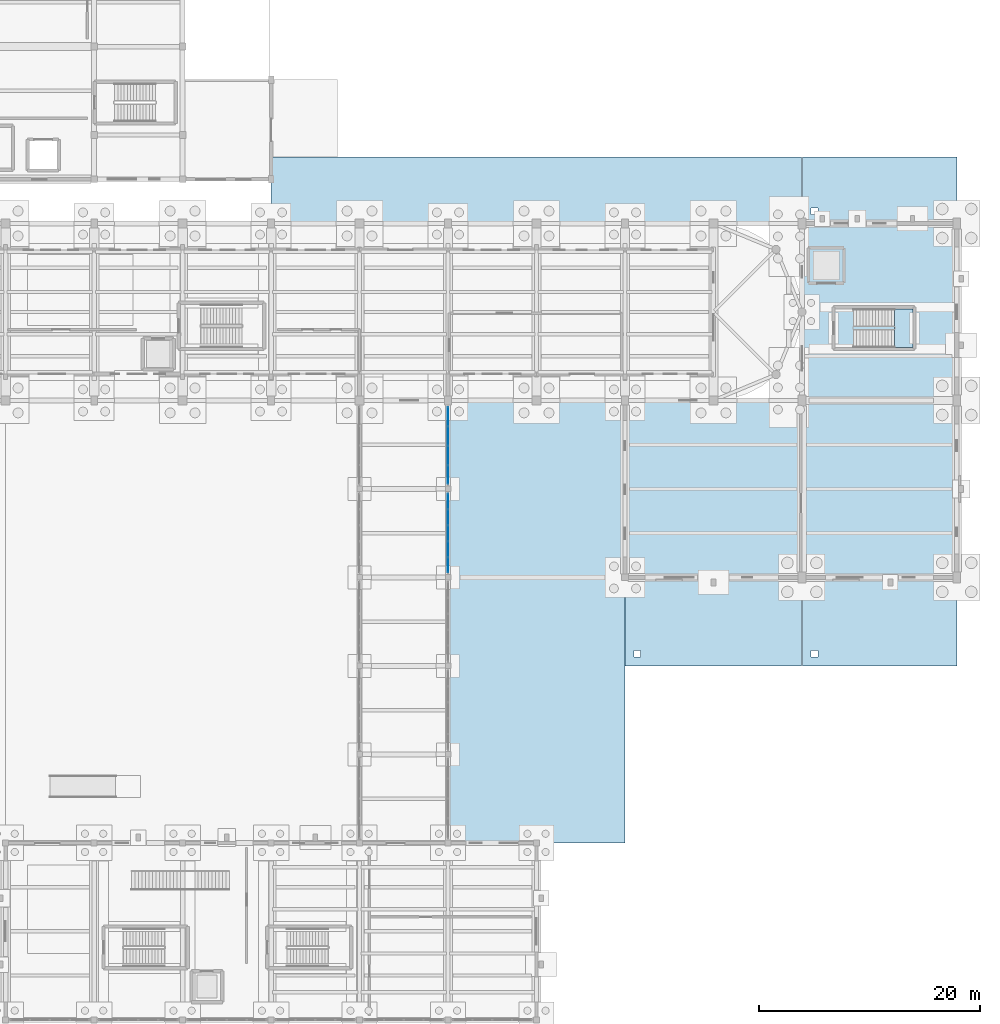
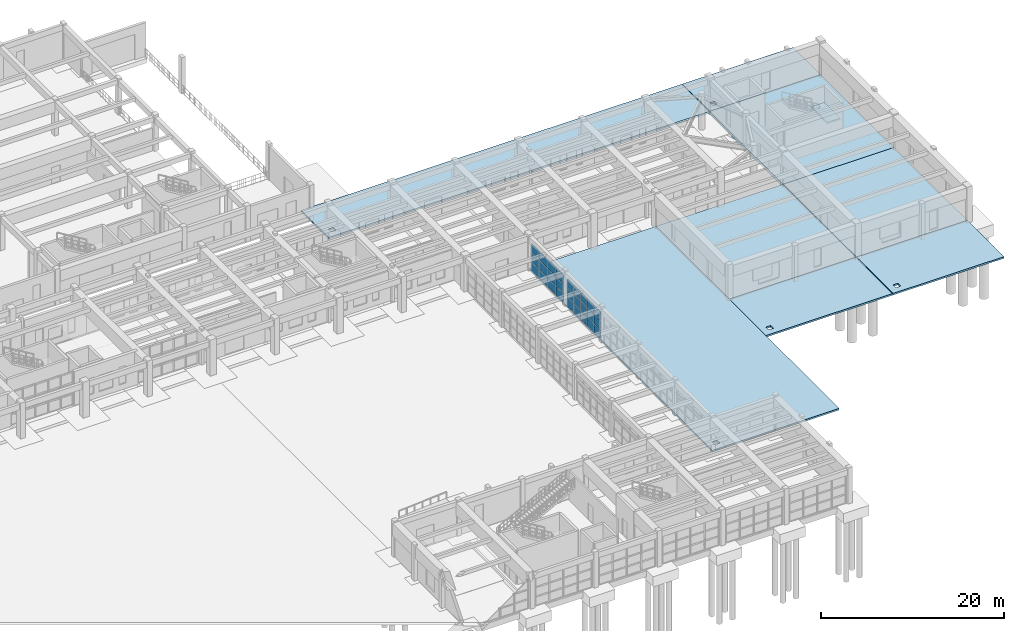
# One storey, part 42 of 68: 27 plates, 9 slabs, 3 elements without a shape of their own.
"""IFC4 building model written with IfcOpenShell, lengths in metres."""

import ifcopenshell
import ifcopenshell.guid

model = None  # the IFC model being written
_history = None  # IfcOwnerHistory: only IFC2X3 demands one
_inside = {}  # id of a spatial element -> (the spatial element, [elements in it])
_under = {}  # id of a project, library or spatial element -> (it, [spatial elements below it])
_declared = {}  # id of a project -> (the project, [libraries it declares])
_typed = {}  # id of a type object -> (the type object, [elements of that type])
_made_of = {}  # id of a material, layer set ... -> (it, [elements and type objects made of it])


def new_model(schema):
    """Start an empty IFC model of exactly this schema.

    Asked for "IFC4X3", IfcOpenShell would pick the latest addendum, in which some entities
    have other attributes; the version numbers below select the first issue.
    IFC2X3 requires an IfcOwnerHistory on every rooted entity: one is made here for all.
    """
    global model, _history
    if schema == "IFC4X3":
        model = ifcopenshell.file(schema_version=(4, 3, 0, 0))
    else:
        model = ifcopenshell.file(schema=schema)
    _inside.clear()
    _under.clear()
    _declared.clear()
    _typed.clear()
    _made_of.clear()
    _history = None
    if model.schema == "IFC2X3":
        org = make("IfcOrganization", Name="unknown")
        user = make(
            "IfcPersonAndOrganization",
            ThePerson=make("IfcPerson", FamilyName="unknown"),
            TheOrganization=org,
        )
        app = make(
            "IfcApplication",
            ApplicationDeveloper=org,
            Version="unknown",
            ApplicationFullName="unknown",
            ApplicationIdentifier="unknown",
        )
        _history = make(
            "IfcOwnerHistory",
            OwningUser=user,
            OwningApplication=app,
            ChangeAction="ADDED",
            CreationDate=0,
        )
    return model


def make(cls, **values):
    """One entity of the class cls with the attributes given. An attribute that is None is left unset."""
    return model.create_entity(
        cls, **{name: value for name, value in values.items() if value is not None}
    )


def rooted(cls, **values):
    """An entity with a GlobalId (a new one), such as an element, a storey or a relation."""
    return make(cls, GlobalId=ifcopenshell.guid.new(), OwnerHistory=_history, **values)


def si_unit(unit_type, name, prefix=None):
    """IfcSIUnit, for example si_unit("LENGTHUNIT", "METRE", prefix="MILLI")."""
    return make("IfcSIUnit", UnitType=unit_type, Prefix=prefix, Name=name)


def assignment(units):
    """IfcUnitAssignment: the units of a project."""
    return None if units is None else make("IfcUnitAssignment", Units=units)


def point(xyz):
    """IfcCartesianPoint."""
    return None if xyz is None else make("IfcCartesianPoint", Coordinates=xyz)


def direction(xyz):
    """IfcDirection."""
    return None if xyz is None else make("IfcDirection", DirectionRatios=xyz)


def frame(location, z_axis=None, x_axis=None):
    """IfcAxis2Placement3D, a coordinate frame: its origin and axes. An axis left out is left unset."""
    return make(
        "IfcAxis2Placement3D",
        Location=point(location),
        Axis=direction(z_axis),
        RefDirection=direction(x_axis),
    )


def frame_2d(location, x_axis=None):
    """IfcAxis2Placement2D, a coordinate frame in the plane: its origin and x axis."""
    return make(
        "IfcAxis2Placement2D", Location=point(location), RefDirection=direction(x_axis)
    )


def origin():
    """The frame at (0, 0, 0) with its axes left unset."""
    return frame((0.0, 0.0, 0.0))


def origin_2d():
    """The frame at (0, 0) in the plane with its x axis left unset."""
    return frame_2d((0.0, 0.0))


def place(relative_to, where):
    """IfcLocalPlacement: puts the frame where relative to a parent placement (None: the world)."""
    return make(
        "IfcLocalPlacement", PlacementRelTo=relative_to, RelativePlacement=where
    )


def context(
    kind, dimensions, precision=None, world=None, true_north=None, identifier=None
):
    """IfcGeometricRepresentationContext, for example the 3D "Model" context."""
    return make(
        "IfcGeometricRepresentationContext",
        ContextIdentifier=identifier,
        ContextType=kind,
        CoordinateSpaceDimension=dimensions,
        Precision=precision,
        WorldCoordinateSystem=world,
        TrueNorth=true_north,
    )


def subcontext(parent, identifier, kind, view, scale=None):
    """IfcGeometricRepresentationSubContext, for example "Body" below "Model"."""
    return make(
        "IfcGeometricRepresentationSubContext",
        ContextIdentifier=identifier,
        ContextType=kind,
        ParentContext=parent,
        TargetScale=scale,
        TargetView=view,
    )


def project(units=None, contexts=None):
    """IfcProject with its units and contexts."""
    return rooted(
        "IfcProject",
        Name="project",
        RepresentationContexts=contexts,
        UnitsInContext=assignment(units),
    )


def spatial(cls, under=None, at=None, **own):
    """A site, building, storey or space (cls), placed at a placement, below another one or the project."""
    s = rooted(cls, ObjectPlacement=at, **own)
    if under is not None:
        _under.setdefault(under.id(), (under, []))[1].append(s)
    return s


def polyline(points):
    """IfcPolyline through the points."""
    return make("IfcPolyline", Points=[point(p) for p in points])


def profile(cls, at=None, kind="AREA", **sizes):
    """A parametric profile (cls). Its sizes go by their IFC names, for example OverallWidth=200.0."""
    return make(cls, ProfileType=kind, Position=at, **sizes)


def rectangle(**sizes):
    """IfcRectangleProfileDef."""
    return profile("IfcRectangleProfileDef", **sizes)


def outline(outer, holes=None, kind="AREA"):
    """IfcArbitraryClosedProfileDef: a profile drawn as a closed curve; with holes, ...WithVoids."""
    if holes is None:
        return make("IfcArbitraryClosedProfileDef", ProfileType=kind, OuterCurve=outer)
    return make(
        "IfcArbitraryProfileDefWithVoids",
        ProfileType=kind,
        OuterCurve=outer,
        InnerCurves=holes,
    )


def extrude(swept, where, along, depth):
    """IfcExtrudedAreaSolid: the profile swept, set in the frame where, extruded along a direction by depth."""
    return make(
        "IfcExtrudedAreaSolid",
        SweptArea=swept,
        Position=where,
        ExtrudedDirection=direction(along),
        Depth=depth,
    )


def shape(context_of_items, identifier, shape_type, items):
    """IfcShapeRepresentation: the items that make up one representation, for example the "Body"."""
    return make(
        "IfcShapeRepresentation",
        ContextOfItems=context_of_items,
        RepresentationIdentifier=identifier,
        RepresentationType=shape_type,
        Items=items,
    )


def material(Name=None, Category=None):
    """IfcMaterial."""
    return make("IfcMaterial", Name=Name, Category=Category)


def layer(
    of_material, thickness, ventilated=None, Name=None, Category=None, Priority=None
):
    """IfcMaterialLayer: one layer of a wall or slab, of a material (None: an air gap)."""
    return make(
        "IfcMaterialLayer",
        Material=of_material,
        LayerThickness=thickness,
        IsVentilated=ventilated,
        Name=Name,
        Category=Category,
        Priority=Priority,
    )


def layer_set(layers, Name=None):
    """IfcMaterialLayerSet."""
    return make("IfcMaterialLayerSet", MaterialLayers=layers, LayerSetName=Name)


def made_of(thing, what):
    """Note that an element or type object is made of a material, layer set ...; save() writes the relation."""
    if what is not None:
        _made_of.setdefault(what.id(), (what, []))[1].append(thing)
    return thing


def type_object(cls, material=None, **own):
    """A type object (cls), such as IfcWallType, which elements share."""
    return made_of(rooted(cls, **own), material)


def element(
    cls,
    number,
    at=None,
    inside=None,
    cuts=None,
    type_object=None,
    material=None,
    context=None,
    identifier="Body",
    shape_type=None,
    held_by="IfcProductDefinitionShape",
    body=None,
    shapes=None,
    **own,
):
    """One element of the class cls, such as IfcWall. Its Tag is "e" and its number.

    at: its placement. inside: the storey or other place that contains it. cuts: it is an
    opening in that element (IfcRelVoidsElement). A single representation is given by context,
    identifier, shape_type and body (its items); several are given by shapes. held_by: the class
    of the entity that holds the representations. save() writes the other relations.
    """
    e = rooted(cls, Tag="e%d" % number, ObjectPlacement=at, **own)
    if body is not None:
        shapes = [shape(context, identifier, shape_type, body)]
    if shapes is not None:
        e.Representation = make(held_by, Representations=shapes)
    if inside is not None:
        _inside.setdefault(inside.id(), (inside, []))[1].append(e)
    if cuts is not None:
        rooted(
            "IfcRelVoidsElement", RelatingBuildingElement=cuts, RelatedOpeningElement=e
        )
    if type_object is not None:
        _typed.setdefault(type_object.id(), (type_object, []))[1].append(e)
    return made_of(e, material)


def aggregate(whole, parts):
    """IfcRelAggregates: a whole, such as a stair, and the parts it consists of."""
    return rooted("IfcRelAggregates", RelatingObject=whole, RelatedObjects=parts)


def save(model, path):
    """Write the relations noted so far, then the file.

    IfcRelAggregates (storeys below a building ...), IfcRelContainedInSpatialStructure (elements
    in a storey), IfcRelDefinesByType, IfcRelAssociatesMaterial and IfcRelDeclares: one each for
    every whole, place, type object, material and project.
    """
    for whole, parts in _under.values():
        aggregate(whole, parts)
    for where, things in _inside.values():
        rooted(
            "IfcRelContainedInSpatialStructure",
            RelatedElements=things,
            RelatingStructure=where,
        )
    for kind, things in _typed.values():
        rooted("IfcRelDefinesByType", RelatedObjects=things, RelatingType=kind)
    for what, things in _made_of.values():
        rooted("IfcRelAssociatesMaterial", RelatedObjects=things, RelatingMaterial=what)
    for by, libraries in _declared.values():
        rooted("IfcRelDeclares", RelatingContext=by, RelatedDefinitions=libraries)
    model.write(path)


model = new_model("IFC4")

# Units and contexts
model_context = context("Model", 3, precision=1e-05, world=origin(), true_north=direction((0.0, 1.0)))
body_context = subcontext(model_context, "Body", "Model", "MODEL_VIEW")
ifc_project = project(units=[si_unit("LENGTHUNIT", "METRE"), si_unit("AREAUNIT", "SQUARE_METRE"), si_unit("VOLUMEUNIT", "CUBIC_METRE"), si_unit("PLANEANGLEUNIT", "RADIAN"), si_unit("MASSUNIT", "GRAM", prefix="KILO")], contexts=[model_context])

# Site, building, storey
site_placement = place(None, origin())
site = spatial("IfcSite", under=ifc_project, at=site_placement, CompositionType="ELEMENT")
building_placement = place(site_placement, origin())
building = spatial("IfcBuilding", under=site, at=building_placement, Name="Serraluz Foothill Cableway Terminal", CompositionType="ELEMENT")
storey_placement = place(building_placement, origin())
storey = spatial("IfcBuildingStorey", under=building, at=storey_placement, Name="L00", CompositionType="ELEMENT", Elevation=0.0)

# Curtain wall, plates
ifc_material_1 = material(Name="Architectural bronze alloy C28000", Category="aluminium")
curtain_wall_type = type_object("IfcCurtainWallType", Name="TYP-CW-710X420", PredefinedType="NOTDEFINED", material=ifc_material_1)
curtain_wall_1_placement = place(storey_placement, origin())
curtain_wall_1 = element("IfcCurtainWall", 1, at=curtain_wall_1_placement, inside=storey, type_object=curtain_wall_type, Name="Ribbed Glazed Curtain Wall CW-CLE-L00-40", PredefinedType="NOTDEFINED")
ifc_material_2 = material(Name="Translucent ribbed laminated channel glass", Category="glass")
ifc_layer_1 = layer(ifc_material_2, 0.028076171875, Name="Translucent ribbed laminated channel glass", Category="glass")
ifc_layer_set_1 = layer_set([ifc_layer_1], Name="Translucent ribbed laminated channel glass")
plate_type = type_object("IfcPlateType", Name="TYP-CW-PNL-28", PredefinedType="CURTAIN_PANEL", material=ifc_layer_set_1)
plate_1_placement = place(storey_placement, frame((128.0, 46.873046875, 0.06005859375), z_axis=(0.0, 0.0, 1.0), x_axis=(0.0, -1.0, 0.0)))
plate_1 = element("IfcPlate", 2, at=plate_1_placement, type_object=plate_type, Name="CW-01 panel 1.1", PredefinedType="CURTAIN_PANEL", context=body_context, shape_type="SweptSolid", body=[
    extrude(rectangle(XDim=1.35400390625, YDim=0.028076171875, at=origin_2d()), origin(), (0.0, 0.0, 1.0), 1.163330078125),
])
plate_2_placement = place(storey_placement, frame((128.0, 46.873046875, 1.283203125), z_axis=(0.0, 0.0, 1.0), x_axis=(0.0, -1.0, 0.0)))
plate_2 = element("IfcPlate", 3, at=plate_2_placement, type_object=plate_type, Name="CW-01 panel 1.2", PredefinedType="CURTAIN_PANEL", context=body_context, shape_type="SweptSolid", body=[
    extrude(rectangle(XDim=1.35400390625, YDim=0.028076171875, at=origin_2d()), origin(), (0.0, 0.0, 1.0), 1.193359375),
])
plate_3_placement = place(storey_placement, frame((128.0, 46.873046875, 2.53662109375), z_axis=(0.0, 0.0, 1.0), x_axis=(0.0, -1.0, 0.0)))
plate_3 = element("IfcPlate", 4, at=plate_3_placement, type_object=plate_type, Name="CW-01 panel 1.3", PredefinedType="CURTAIN_PANEL", context=body_context, shape_type="SweptSolid", body=[
    extrude(rectangle(XDim=1.35400390625, YDim=0.028076171875, at=origin_2d()), origin(), (0.0, 0.0, 1.0), 1.163330078125),
])
plate_4_placement = place(storey_placement, frame((128.0, 45.444091796875, 0.06005859375), z_axis=(0.0, 0.0, 1.0), x_axis=(0.0, -1.0, 0.0)))
plate_4 = element("IfcPlate", 5, at=plate_4_placement, type_object=plate_type, Name="CW-01 panel 2.1", PredefinedType="CURTAIN_PANEL", context=body_context, shape_type="SweptSolid", body=[
    extrude(rectangle(XDim=1.384033203125, YDim=0.028076171875, at=origin_2d()), origin(), (0.0, 0.0, 1.0), 1.163330078125),
])
plate_5_placement = place(storey_placement, frame((128.0, 45.444091796875, 1.283203125), z_axis=(0.0, 0.0, 1.0), x_axis=(0.0, -1.0, 0.0)))
plate_5 = element("IfcPlate", 6, at=plate_5_placement, type_object=plate_type, Name="CW-01 panel 2.2", PredefinedType="CURTAIN_PANEL", context=body_context, shape_type="SweptSolid", body=[
    extrude(rectangle(XDim=1.384033203125, YDim=0.028076171875, at=origin_2d()), origin(), (0.0, 0.0, 1.0), 1.193359375),
])
plate_6_placement = place(storey_placement, frame((128.0, 45.444091796875, 2.53662109375), z_axis=(0.0, 0.0, 1.0), x_axis=(0.0, -1.0, 0.0)))
plate_6 = element("IfcPlate", 7, at=plate_6_placement, type_object=plate_type, Name="CW-01 panel 2.3", PredefinedType="CURTAIN_PANEL", context=body_context, shape_type="SweptSolid", body=[
    extrude(rectangle(XDim=1.384033203125, YDim=0.028076171875, at=origin_2d()), origin(), (0.0, 0.0, 1.0), 1.163330078125),
])
plate_7_placement = place(storey_placement, frame((128.0, 44.0, 0.06005859375), z_axis=(0.0, 0.0, 1.0), x_axis=(0.0, -1.0, 0.0)))
plate_7 = element("IfcPlate", 8, at=plate_7_placement, type_object=plate_type, Name="CW-01 panel 3.1", PredefinedType="CURTAIN_PANEL", context=body_context, shape_type="SweptSolid", body=[
    extrude(rectangle(XDim=1.384033203125, YDim=0.028076171875, at=origin_2d()), origin(), (0.0, 0.0, 1.0), 1.163330078125),
])
plate_8_placement = place(storey_placement, frame((128.0, 44.0, 1.283203125), z_axis=(0.0, 0.0, 1.0), x_axis=(0.0, -1.0, 0.0)))
plate_8 = element("IfcPlate", 9, at=plate_8_placement, type_object=plate_type, Name="CW-01 panel 3.2", PredefinedType="CURTAIN_PANEL", context=body_context, shape_type="SweptSolid", body=[
    extrude(rectangle(XDim=1.384033203125, YDim=0.028076171875, at=origin_2d()), origin(), (0.0, 0.0, 1.0), 1.193359375),
])
plate_9_placement = place(storey_placement, frame((128.0, 44.0, 2.53662109375), z_axis=(0.0, 0.0, 1.0), x_axis=(0.0, -1.0, 0.0)))
plate_9 = element("IfcPlate", 10, at=plate_9_placement, type_object=plate_type, Name="CW-01 panel 3.3", PredefinedType="CURTAIN_PANEL", context=body_context, shape_type="SweptSolid", body=[
    extrude(rectangle(XDim=1.384033203125, YDim=0.028076171875, at=origin_2d()), origin(), (0.0, 0.0, 1.0), 1.163330078125),
])
plate_10_placement = place(storey_placement, frame((128.0, 42.555908203125, 0.06005859375), z_axis=(0.0, 0.0, 1.0), x_axis=(0.0, -1.0, 0.0)))
plate_10 = element("IfcPlate", 11, at=plate_10_placement, type_object=plate_type, Name="CW-01 panel 4.1", PredefinedType="CURTAIN_PANEL", context=body_context, shape_type="SweptSolid", body=[
    extrude(rectangle(XDim=1.384033203125, YDim=0.028076171875, at=origin_2d()), origin(), (0.0, 0.0, 1.0), 1.163330078125),
])
plate_11_placement = place(storey_placement, frame((128.0, 42.555908203125, 1.283203125), z_axis=(0.0, 0.0, 1.0), x_axis=(0.0, -1.0, 0.0)))
plate_11 = element("IfcPlate", 12, at=plate_11_placement, type_object=plate_type, Name="CW-01 panel 4.2", PredefinedType="CURTAIN_PANEL", context=body_context, shape_type="SweptSolid", body=[
    extrude(rectangle(XDim=1.384033203125, YDim=0.028076171875, at=origin_2d()), origin(), (0.0, 0.0, 1.0), 1.193359375),
])
plate_12_placement = place(storey_placement, frame((128.0, 42.555908203125, 2.53662109375), z_axis=(0.0, 0.0, 1.0), x_axis=(0.0, -1.0, 0.0)))
plate_12 = element("IfcPlate", 13, at=plate_12_placement, type_object=plate_type, Name="CW-01 panel 4.3", PredefinedType="CURTAIN_PANEL", context=body_context, shape_type="SweptSolid", body=[
    extrude(rectangle(XDim=1.384033203125, YDim=0.028076171875, at=origin_2d()), origin(), (0.0, 0.0, 1.0), 1.163330078125),
])
plate_13_placement = place(storey_placement, frame((128.0, 41.126953125, 0.06005859375), z_axis=(0.0, 0.0, 1.0), x_axis=(0.0, -1.0, 0.0)))
plate_13 = element("IfcPlate", 14, at=plate_13_placement, type_object=plate_type, Name="CW-01 panel 5.1", PredefinedType="CURTAIN_PANEL", context=body_context, shape_type="SweptSolid", body=[
    extrude(rectangle(XDim=1.35400390625, YDim=0.028076171875, at=origin_2d()), origin(), (0.0, 0.0, 1.0), 1.163330078125),
])
plate_14_placement = place(storey_placement, frame((128.0, 41.126953125, 1.283203125), z_axis=(0.0, 0.0, 1.0), x_axis=(0.0, -1.0, 0.0)))
plate_14 = element("IfcPlate", 15, at=plate_14_placement, type_object=plate_type, Name="CW-01 panel 5.2", PredefinedType="CURTAIN_PANEL", context=body_context, shape_type="SweptSolid", body=[
    extrude(rectangle(XDim=1.35400390625, YDim=0.028076171875, at=origin_2d()), origin(), (0.0, 0.0, 1.0), 1.193359375),
])
plate_15_placement = place(storey_placement, frame((128.0, 41.126953125, 2.53662109375), z_axis=(0.0, 0.0, 1.0), x_axis=(0.0, -1.0, 0.0)))
plate_15 = element("IfcPlate", 16, at=plate_15_placement, type_object=plate_type, Name="CW-01 panel 5.3", PredefinedType="CURTAIN_PANEL", context=body_context, shape_type="SweptSolid", body=[
    extrude(rectangle(XDim=1.35400390625, YDim=0.028076171875, at=origin_2d()), origin(), (0.0, 0.0, 1.0), 1.163330078125),
])
aggregate(curtain_wall_1, [plate_1, plate_2, plate_3, plate_4, plate_5, plate_6, plate_7, plate_8, plate_9, plate_10, plate_11, plate_12, plate_13, plate_14, plate_15])

curtain_wall_2_placement = place(storey_placement, origin())
curtain_wall_2 = element("IfcCurtainWall", 17, at=curtain_wall_2_placement, inside=storey, type_object=curtain_wall_type, Name="Ribbed Glazed Curtain Wall CW-CLE-L00-48", PredefinedType="NOTDEFINED")
plate_16_placement = place(storey_placement, frame((128.0, 54.539306640625, 0.06005859375), z_axis=(0.0, 0.0, 1.0), x_axis=(0.0, -1.0, 0.0)))
plate_16 = element("IfcPlate", 18, at=plate_16_placement, type_object=plate_type, Name="CW-01 panel 1.1", PredefinedType="CURTAIN_PANEL", context=body_context, shape_type="SweptSolid", body=[
    extrude(rectangle(XDim=1.671142578125, YDim=0.028076171875, at=origin_2d()), origin(), (0.0, 0.0, 1.0), 1.163330078125),
])
plate_17_placement = place(storey_placement, frame((128.0, 54.539306640625, 1.283203125), z_axis=(0.0, 0.0, 1.0), x_axis=(0.0, -1.0, 0.0)))
plate_17 = element("IfcPlate", 19, at=plate_17_placement, type_object=plate_type, Name="CW-01 panel 1.2", PredefinedType="CURTAIN_PANEL", context=body_context, shape_type="SweptSolid", body=[
    extrude(rectangle(XDim=1.671142578125, YDim=0.028076171875, at=origin_2d()), origin(), (0.0, 0.0, 1.0), 1.193359375),
])
plate_18_placement = place(storey_placement, frame((128.0, 54.539306640625, 2.53662109375), z_axis=(0.0, 0.0, 1.0), x_axis=(0.0, -1.0, 0.0)))
plate_18 = element("IfcPlate", 20, at=plate_18_placement, type_object=plate_type, Name="CW-01 panel 1.3", PredefinedType="CURTAIN_PANEL", context=body_context, shape_type="SweptSolid", body=[
    extrude(rectangle(XDim=1.671142578125, YDim=0.028076171875, at=origin_2d()), origin(), (0.0, 0.0, 1.0), 1.163330078125),
])
plate_19_placement = place(storey_placement, frame((128.0, 52.793212890625, 0.06005859375), z_axis=(0.0, 0.0, 1.0), x_axis=(0.0, -1.0, 0.0)))
plate_19 = element("IfcPlate", 21, at=plate_19_placement, type_object=plate_type, Name="CW-01 panel 2.1", PredefinedType="CURTAIN_PANEL", context=body_context, shape_type="SweptSolid", body=[
    extrude(rectangle(XDim=1.701171875, YDim=0.028076171875, at=origin_2d()), origin(), (0.0, 0.0, 1.0), 1.163330078125),
])
plate_20_placement = place(storey_placement, frame((128.0, 52.793212890625, 1.283203125), z_axis=(0.0, 0.0, 1.0), x_axis=(0.0, -1.0, 0.0)))
plate_20 = element("IfcPlate", 22, at=plate_20_placement, type_object=plate_type, Name="CW-01 panel 2.2", PredefinedType="CURTAIN_PANEL", context=body_context, shape_type="SweptSolid", body=[
    extrude(rectangle(XDim=1.701171875, YDim=0.028076171875, at=origin_2d()), origin(), (0.0, 0.0, 1.0), 1.193359375),
])
plate_21_placement = place(storey_placement, frame((128.0, 52.793212890625, 2.53662109375), z_axis=(0.0, 0.0, 1.0), x_axis=(0.0, -1.0, 0.0)))
plate_21 = element("IfcPlate", 23, at=plate_21_placement, type_object=plate_type, Name="CW-01 panel 2.3", PredefinedType="CURTAIN_PANEL", context=body_context, shape_type="SweptSolid", body=[
    extrude(rectangle(XDim=1.701171875, YDim=0.028076171875, at=origin_2d()), origin(), (0.0, 0.0, 1.0), 1.163330078125),
])
plate_22_placement = place(storey_placement, frame((128.0, 51.031982421875, 0.06005859375), z_axis=(0.0, 0.0, 1.0), x_axis=(0.0, -1.0, 0.0)))
plate_22 = element("IfcPlate", 24, at=plate_22_placement, type_object=plate_type, Name="CW-01 panel 3.1", PredefinedType="CURTAIN_PANEL", context=body_context, shape_type="SweptSolid", body=[
    extrude(rectangle(XDim=1.701171875, YDim=0.028076171875, at=origin_2d()), origin(), (0.0, 0.0, 1.0), 1.163330078125),
])
plate_23_placement = place(storey_placement, frame((128.0, 51.031982421875, 1.283203125), z_axis=(0.0, 0.0, 1.0), x_axis=(0.0, -1.0, 0.0)))
plate_23 = element("IfcPlate", 25, at=plate_23_placement, type_object=plate_type, Name="CW-01 panel 3.2", PredefinedType="CURTAIN_PANEL", context=body_context, shape_type="SweptSolid", body=[
    extrude(rectangle(XDim=1.701171875, YDim=0.028076171875, at=origin_2d()), origin(), (0.0, 0.0, 1.0), 1.193359375),
])
plate_24_placement = place(storey_placement, frame((128.0, 51.031982421875, 2.53662109375), z_axis=(0.0, 0.0, 1.0), x_axis=(0.0, -1.0, 0.0)))
plate_24 = element("IfcPlate", 26, at=plate_24_placement, type_object=plate_type, Name="CW-01 panel 3.3", PredefinedType="CURTAIN_PANEL", context=body_context, shape_type="SweptSolid", body=[
    extrude(rectangle(XDim=1.701171875, YDim=0.028076171875, at=origin_2d()), origin(), (0.0, 0.0, 1.0), 1.163330078125),
])
plate_25_placement = place(storey_placement, frame((128.0, 49.28564453125, 0.06005859375), z_axis=(0.0, 0.0, 1.0), x_axis=(0.0, -1.0, 0.0)))
plate_25 = element("IfcPlate", 27, at=plate_25_placement, type_object=plate_type, Name="CW-01 panel 4.1", PredefinedType="CURTAIN_PANEL", context=body_context, shape_type="SweptSolid", body=[
    extrude(rectangle(XDim=1.671142578125, YDim=0.028076171875, at=origin_2d()), origin(), (0.0, 0.0, 1.0), 1.163330078125),
])
plate_26_placement = place(storey_placement, frame((128.0, 49.28564453125, 1.283203125), z_axis=(0.0, 0.0, 1.0), x_axis=(0.0, -1.0, 0.0)))
plate_26 = element("IfcPlate", 28, at=plate_26_placement, type_object=plate_type, Name="CW-01 panel 4.2", PredefinedType="CURTAIN_PANEL", context=body_context, shape_type="SweptSolid", body=[
    extrude(rectangle(XDim=1.671142578125, YDim=0.028076171875, at=origin_2d()), origin(), (0.0, 0.0, 1.0), 1.193359375),
])
plate_27_placement = place(storey_placement, frame((128.0, 49.28564453125, 2.53662109375), z_axis=(0.0, 0.0, 1.0), x_axis=(0.0, -1.0, 0.0)))
plate_27 = element("IfcPlate", 29, at=plate_27_placement, type_object=plate_type, Name="CW-01 panel 4.3", PredefinedType="CURTAIN_PANEL", context=body_context, shape_type="SweptSolid", body=[
    extrude(rectangle(XDim=1.671142578125, YDim=0.028076171875, at=origin_2d()), origin(), (0.0, 0.0, 1.0), 1.163330078125),
])
aggregate(curtain_wall_2, [plate_16, plate_17, plate_18, plate_19, plate_20, plate_21, plate_22, plate_23, plate_24, plate_25, plate_26, plate_27])

# Slabs
ifc_material_3 = material(Name="Concrete C35/45 (f'c 35 MPa)", Category="concrete")
ifc_layer_2 = layer(ifc_material_3, 0.39990234375, Name="Concrete C35/45 (f'c 35 MPa)", Category="concrete")
ifc_layer_set_2 = layer_set([ifc_layer_2], Name="Concrete C35/45 (f'c 35 MPa)")
slab_type_1 = type_object("IfcSlabType", Name="TYP-SLB-BASE-400", PredefinedType="BASESLAB", material=ifc_layer_set_2)
slab_1_placement = place(storey_placement, frame((0.0, 0.0, -0.39990234375)))
element("IfcSlab", 30, at=slab_1_placement, inside=storey, type_object=slab_type_1, Name="Structural Slab SLB-L00-V2AW", PredefinedType="BASESLAB", context=body_context, shape_type="SweptSolid", body=[
    extrude(outline(polyline([(144.0, 40.0), (159.96240234375, 40.0), (159.96240234375, 56.0), (144.0, 56.0), (144.0, 40.0)])), origin(), (0.0, 0.0, 1.0), 0.39990234375),
])
slab_2_placement = place(storey_placement, frame((0.0, 0.0, -0.39990234375)))
element("IfcSlab", 31, at=slab_2_placement, inside=storey, type_object=slab_type_1, Name="Structural Slab SLB-L00-V2AE", PredefinedType="BASESLAB", context=body_context, shape_type="SweptSolid", body=[
    extrude(outline(polyline([(160.03759765625, 40.0), (174.0, 40.0), (174.0, 56.0), (160.03759765625, 56.0), (160.03759765625, 40.0)])), origin(), (0.0, 0.0, 1.0), 0.39990234375),
])
slab_3_placement = place(storey_placement, frame((0.0, 0.0, -0.39990234375)))
element("IfcSlab", 32, at=slab_3_placement, inside=storey, type_object=slab_type_1, Name="Structural Slab SLB-L00-V2B", PredefinedType="BASESLAB", context=body_context, shape_type="SweptSolid", body=[
    extrude(outline(polyline([(160.0, 56.0), (174.0, 56.0), (174.0, 72.0), (160.0, 72.0), (160.0, 56.0)])), origin(), (0.0, 0.0, 1.0), 0.39990234375),
])
ifc_material_4 = material(Name="Concrete C28/35 (f'c 28 MPa)", Category="concrete")
ifc_layer_3 = layer(ifc_material_4, 0.219970703125, Name="Concrete C28/35 (f'c 28 MPa)", Category="concrete")
ifc_layer_set_3 = layer_set([ifc_layer_3], Name="Concrete C28/35 (f'c 28 MPa)")
slab_type_2 = type_object("IfcSlabType", Name="TYP-SLB-EXT-220", PredefinedType="BASESLAB", material=ifc_layer_set_3)
slab_4_placement = place(storey_placement, frame((0.0, 0.0, -0.219970703125)))
element("IfcSlab", 33, at=slab_4_placement, inside=storey, type_object=slab_type_2, Name="Exterior Terrace or Apron Slab EXT-L00-COURT-E", PredefinedType="BASESLAB", context=body_context, shape_type="SweptSolid", body=[
    extrude(outline(polyline([(128.0, 16.0), (144.0, 16.0), (144.0, 56.0), (128.0, 56.0), (128.0, 16.0)]), holes=[polyline([(128.800048828125, 16.800048828125), (129.39990234375, 16.800048828125), (129.39990234375, 17.39990234375), (128.800048828125, 17.39990234375), (128.800048828125, 16.800048828125)])]), origin(), (0.0, 0.0, 1.0), 0.219970703125),
])
slab_5_placement = place(storey_placement, frame((0.0, 0.0, -0.219970703125)))
element("IfcSlab", 34, at=slab_5_placement, inside=storey, type_object=slab_type_2, Name="Exterior Terrace or Apron Slab EXT-L00-EAST-W", PredefinedType="BASESLAB", context=body_context, shape_type="SweptSolid", body=[
    extrude(outline(polyline([(144.0, 32.0), (159.96240234375, 32.0), (159.96240234375, 40.0), (144.0, 40.0), (144.0, 32.0)]), holes=[polyline([(144.800048828125, 32.800048828125), (145.39990234375, 32.800048828125), (145.39990234375, 33.39990234375), (144.800048828125, 33.39990234375), (144.800048828125, 32.800048828125)])]), origin(), (0.0, 0.0, 1.0), 0.219970703125),
])
slab_6_placement = place(storey_placement, frame((0.0, 0.0, -0.219970703125)))
element("IfcSlab", 35, at=slab_6_placement, inside=storey, type_object=slab_type_2, Name="Exterior Terrace or Apron Slab EXT-L00-EAST-E", PredefinedType="BASESLAB", context=body_context, shape_type="SweptSolid", body=[
    extrude(outline(polyline([(160.03759765625, 32.0), (174.0, 32.0), (174.0, 40.0), (160.03759765625, 40.0), (160.03759765625, 32.0)]), holes=[polyline([(160.83740234375, 32.800048828125), (161.4375, 32.800048828125), (161.4375, 33.39990234375), (160.83740234375, 33.39990234375), (160.83740234375, 32.800048828125)])]), origin(), (0.0, 0.0, 1.0), 0.219970703125),
])
slab_7_placement = place(storey_placement, frame((0.0, 0.0, -0.219970703125)))
element("IfcSlab", 36, at=slab_7_placement, inside=storey, type_object=slab_type_2, Name="Exterior Terrace or Apron Slab EXT-L00-NE-W", PredefinedType="BASESLAB", context=body_context, shape_type="SweptSolid", body=[
    extrude(outline(polyline([(112.0, 72.0), (159.96240234375, 72.0), (159.96240234375, 78.0), (112.0, 78.0), (112.0, 72.0)]), holes=[polyline([(112.800048828125, 72.800048828125), (113.39990234375, 72.800048828125), (113.39990234375, 73.39990234375), (112.800048828125, 73.39990234375), (112.800048828125, 72.800048828125)])]), origin(), (0.0, 0.0, 1.0), 0.219970703125),
])
slab_8_placement = place(storey_placement, frame((0.0, 0.0, -0.219970703125)))
element("IfcSlab", 37, at=slab_8_placement, inside=storey, type_object=slab_type_2, Name="Exterior Terrace or Apron Slab EXT-L00-NE-E", PredefinedType="BASESLAB", context=body_context, shape_type="SweptSolid", body=[
    extrude(outline(polyline([(160.03759765625, 72.0), (174.0, 72.0), (174.0, 78.0), (160.03759765625, 78.0), (160.03759765625, 72.0)]), holes=[polyline([(160.83740234375, 72.800048828125), (161.4375, 72.800048828125), (161.4375, 73.39990234375), (160.83740234375, 73.39990234375), (160.83740234375, 72.800048828125)])]), origin(), (0.0, 0.0, 1.0), 0.219970703125),
])

# Stair, slab
stair_type = type_object("IfcStairType", Name="TYP-ST-DOG-166-48", PredefinedType="HALF_TURN_STAIR", material=ifc_material_3)
stair_placement = place(storey_placement, origin())
stair = element("IfcStair", 38, at=stair_placement, inside=storey, type_object=stair_type, Name="L00 ST-05", PredefinedType="HALF_TURN_STAIR")
ifc_layer_4 = layer(ifc_material_4, 0.199951171875, Name="Concrete C28/35 (f'c 28 MPa)", Category="concrete")
ifc_layer_set_4 = layer_set([ifc_layer_4], Name="Concrete C28/35 (f'c 28 MPa)")
slab_type_3 = type_object("IfcSlabType", Name="TYP-SLB-LND-200", PredefinedType="LANDING", material=ifc_layer_set_4)
slab_9_placement = place(storey_placement, frame((0.0, 0.0, 2.199951171875)))
slab_9 = element("IfcSlab", 39, at=slab_9_placement, type_object=slab_type_3, Name="ST-05 landing 1", PredefinedType="LANDING", context=body_context, shape_type="SweptSolid", body=[
    extrude(outline(polyline([(168.364990234375, 60.800048828125), (170.02490234375, 60.800048828125), (170.02490234375, 64.280029296875), (168.364990234375, 64.280029296875), (168.364990234375, 60.800048828125)])), origin(), (0.0, 0.0, 1.0), 0.199951171875),
])
aggregate(stair, [slab_9])

save(model, "model.ifc")
